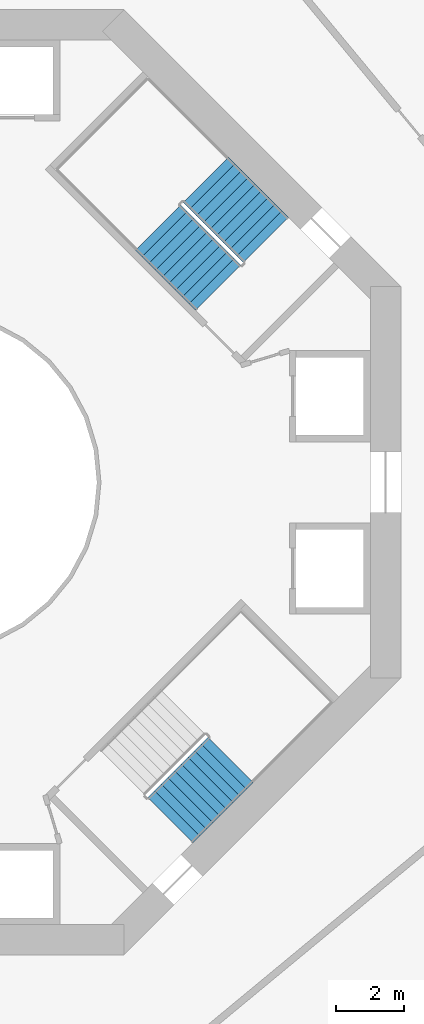
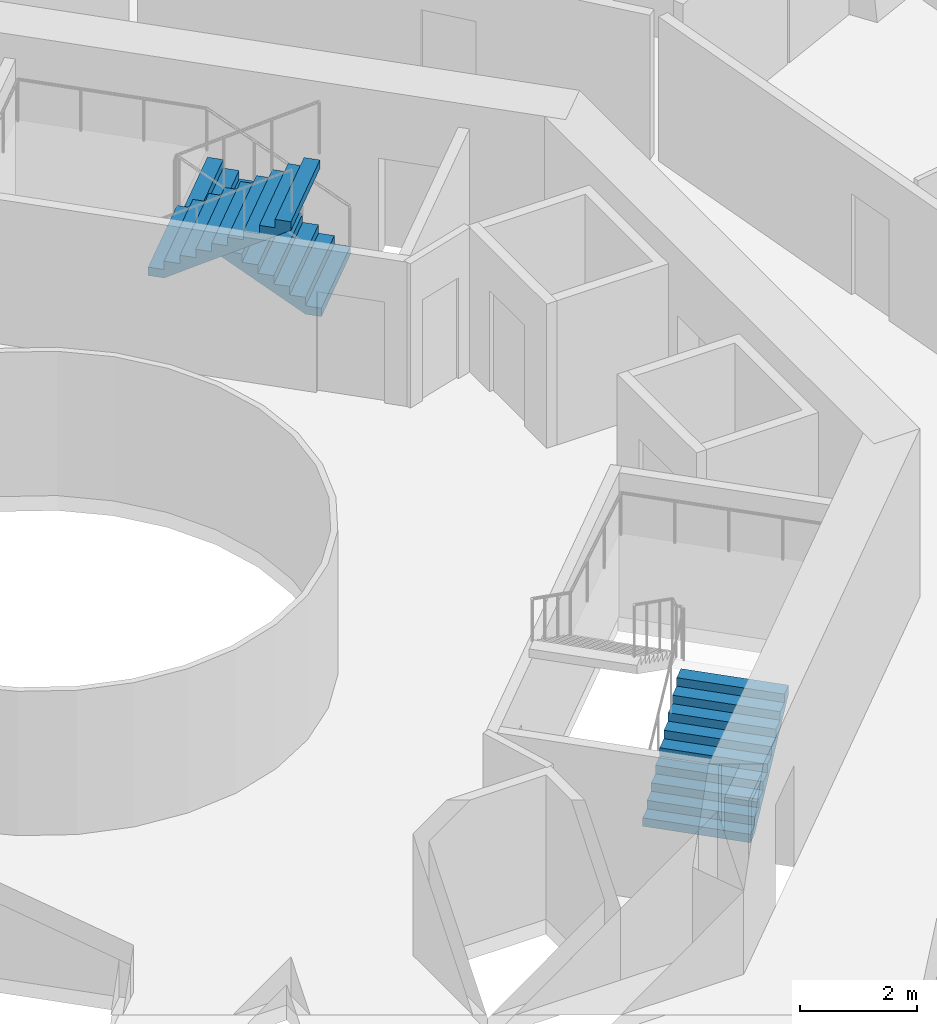
# One storey, part 26 of 27: 3 stair flights, 2 elements without a shape of their own.
"""IFC4 building model written with IfcOpenShell, lengths in metres."""

from ifc_helpers import new_model, si_unit, direction, frame, origin, place, context, subcontext, project, spatial, triangles, material, type_object, element, aggregate, save


model = new_model("IFC4")

# Units and contexts
model_context = context("Model", 3, precision=1e-05, world=origin(), true_north=direction((0.0, 1.0)))
body_context = subcontext(model_context, "Body", "Model", "MODEL_VIEW")
ifc_project = project(units=[si_unit("LENGTHUNIT", "METRE"), si_unit("AREAUNIT", "SQUARE_METRE"), si_unit("VOLUMEUNIT", "CUBIC_METRE"), si_unit("PLANEANGLEUNIT", "RADIAN"), si_unit("MASSUNIT", "GRAM", prefix="KILO")], contexts=[model_context])

# Site, building, storey
site_placement = place(None, origin())
site = spatial("IfcSite", under=ifc_project, at=site_placement, CompositionType="ELEMENT")
building_placement = place(site_placement, origin())
building = spatial("IfcBuilding", under=site, at=building_placement, Name="Verdalira Terraces Hotel", CompositionType="ELEMENT")
storey_placement = place(building_placement, frame((0.0, 0.0, 71.5)))
storey = spatial("IfcBuildingStorey", under=building, at=storey_placement, Name="L16", CompositionType="ELEMENT", Elevation=71.5)

# Stair, stair flights
ifc_material_1 = material(Name="Concrete C40", Category="concrete")
stair_type = type_object("IfcStairType", Name="Core stair 20 risers 1900 mm wide", PredefinedType="HALF_TURN_STAIR", material=ifc_material_1)
stair_1_placement = place(storey_placement, origin())
stair_1 = element("IfcStair", 1, at=stair_1_placement, inside=storey, type_object=stair_type, Name="L16 Exit stair ST1", PredefinedType="HALF_TURN_STAIR")
ifc_material_2 = material(Name="Concrete C40", Category="concrete")
stair_flight_type = type_object("IfcStairFlightType", Name="Core stair flight 20 risers 1900 mm wide", PredefinedType="STRAIGHT", material=ifc_material_2)
stair_flight_1_placement = place(storey_placement, frame((10.005615, 7.177246, 0.0), z_axis=(0.0, 0.0, 1.0), x_axis=(-0.707106781, 0.707106781, 0.0)))
stair_flight_1 = element("IfcStairFlight", 2, at=stair_flight_1_placement, type_object=stair_flight_type, Name="ST1 flight 1", NumberOfRisers=10, NumberOfTreads=9, PredefinedType="STRAIGHT", RiserHeight=0.175, TreadLength=0.28, context=body_context, shape_type="Tessellation", body=[
    triangles([(0.0, 0.949951, 0.0), (0.282715, 0.949951, 0.0), (2.52002, 0.949951, 1.398193), (0.0, -0.949951, 0.0), (0.282715, -0.949951, 0.0), (2.52002, -0.949951, 1.398193), (2.52002, 0.949951, 1.574951), (2.23999, 0.949951, 1.574951), (2.52002, -0.949951, 1.574951), (2.23999, -0.949951, 1.574951), (2.23999, 0.949951, 1.399902), (2.23999, -0.949951, 1.399902), (1.959961, 0.949951, 1.399902), (1.959961, -0.949951, 1.399902), (1.959961, 0.949951, 1.225098), (1.959961, -0.949951, 1.225098), (1.679932, 0.949951, 1.225098), (1.679932, 0.949951, 1.050049), (1.679932, -0.949951, 1.225098), (1.679932, -0.949951, 1.050049), (1.399902, 0.949951, 1.050049), (1.399902, 0.949951, 0.875), (1.399902, -0.949951, 1.050049), (1.399902, -0.949951, 0.875), (1.120117, 0.949951, 0.875), (1.120117, 0.949951, 0.699951), (1.120117, -0.949951, 0.875), (1.120117, -0.949951, 0.699951), (0.840088, 0.949951, 0.699951), (0.840088, 0.949951, 0.524902), (0.840088, -0.949951, 0.699951), (0.840088, -0.949951, 0.524902), (0.560059, 0.949951, 0.524902), (0.560059, 0.949951, 0.350098), (0.560059, -0.949951, 0.524902), (0.560059, -0.949951, 0.350098), (0.280029, 0.949951, 0.350098), (0.280029, 0.949951, 0.175049), (0.280029, -0.949951, 0.350098), (0.280029, -0.949951, 0.175049), (0.0, 0.949951, 0.175049), (0.0, -0.949951, 0.175049), (0.0, -0.890579, 0.0), (0.0, -0.890579, 0.175049), (0.0, -0.831207, 0.0), (0.0, -0.831207, 0.175049), (0.0, -0.771835, 0.0), (0.0, -0.771835, 0.175049), (0.0, -0.712463, 0.0), (0.0, -0.712463, 0.175049), (0.0, -0.653091, 0.0), (0.0, -0.653091, 0.175049), (0.0, -0.593719, 0.0), (0.0, -0.593719, 0.175049), (0.0, -0.534348, 0.0), (0.0, -0.534348, 0.175049), (0.0, -0.474976, 0.0), (0.0, -0.474976, 0.175049), (0.0, -0.415604, 0.0), (0.0, -0.415604, 0.175049), (0.0, -0.356232, 0.0), (0.0, -0.356232, 0.175049), (0.0, -0.29686, 0.0), (0.0, -0.29686, 0.175049), (0.0, -0.237488, 0.0), (0.0, -0.237488, 0.175049), (0.0, -0.178116, 0.0), (0.0, -0.178116, 0.175049), (0.0, -0.118744, 0.0), (0.0, -0.118744, 0.175049), (0.0, -0.059372, 0.0), (0.0, -0.059372, 0.175049), (0.0, 0.0, 0.0), (0.0, 0.0, 0.175049), (0.0, 0.059372, 0.0), (0.0, 0.059372, 0.175049), (0.0, 0.118744, 0.0), (0.0, 0.118744, 0.175049), (0.0, 0.178116, 0.0), (0.0, 0.178116, 0.175049), (0.0, 0.237488, 0.0), (0.0, 0.237488, 0.175049), (0.0, 0.29686, 0.0), (0.0, 0.29686, 0.175049), (0.0, 0.356232, 0.0), (0.0, 0.356232, 0.175049), (0.0, 0.415604, 0.0), (0.0, 0.415604, 0.175049), (0.0, 0.474976, 0.0), (0.0, 0.474976, 0.175049), (0.0, 0.534348, 0.0), (0.0, 0.534348, 0.175049), (0.0, 0.593719, 0.0), (0.0, 0.593719, 0.175049), (0.0, 0.653091, 0.0), (0.0, 0.653091, 0.175049), (0.0, 0.712463, 0.0), (0.0, 0.712463, 0.175049), (0.0, 0.771835, 0.0), (0.0, 0.771835, 0.175049), (0.0, 0.831207, 0.0), (0.0, 0.831207, 0.175049), (0.0, 0.890579, 0.0), (0.0, 0.890579, 0.175049), (2.52002, -0.890579, 1.574951), (2.52002, -0.831207, 1.574951), (2.52002, -0.771835, 1.574951), (2.52002, -0.712463, 1.574951), (2.52002, -0.653091, 1.574951), (2.52002, -0.593719, 1.574951), (2.52002, -0.534348, 1.574951), (2.52002, -0.474976, 1.574951), (2.52002, -0.415604, 1.574951), (2.52002, -0.356232, 1.574951), (2.52002, -0.29686, 1.574951), (2.52002, -0.237488, 1.574951), (2.52002, -0.178116, 1.574951), (2.52002, -0.118744, 1.574951), (2.52002, -0.059372, 1.574951), (2.52002, 0.0, 1.574951), (2.52002, 0.059372, 1.574951), (2.52002, 0.118744, 1.574951), (2.52002, 0.178116, 1.574951), (2.52002, 0.237488, 1.574951), (2.52002, 0.29686, 1.574951), (2.52002, 0.356232, 1.574951), (2.52002, 0.415604, 1.574951), (2.52002, 0.474976, 1.574951), (2.52002, 0.534348, 1.574951), (2.52002, 0.593719, 1.574951), (2.52002, 0.653091, 1.574951), (2.52002, 0.712463, 1.574951), (2.52002, 0.771835, 1.574951), (2.52002, 0.831207, 1.574951), (2.52002, 0.890579, 1.574951), (2.52002, -0.890579, 1.398193), (2.52002, -0.831207, 1.398193), (2.52002, -0.771835, 1.398193), (2.52002, -0.712463, 1.398193), (2.52002, -0.653091, 1.398193), (2.52002, -0.593719, 1.398193), (2.52002, -0.534348, 1.398193), (2.52002, -0.474976, 1.398193), (2.52002, -0.415604, 1.398193), (2.52002, -0.356232, 1.398193), (2.52002, -0.29686, 1.398193), (2.52002, -0.237488, 1.398193), (2.52002, -0.178116, 1.398193), (2.52002, -0.118744, 1.398193), (2.52002, -0.059372, 1.398193), (2.52002, 0.0, 1.398193), (2.52002, 0.059372, 1.398193), (2.52002, 0.118744, 1.398193), (2.52002, 0.178116, 1.398193), (2.52002, 0.237488, 1.398193), (2.52002, 0.29686, 1.398193), (2.52002, 0.356232, 1.398193), (2.52002, 0.415604, 1.398193), (2.52002, 0.474976, 1.398193), (2.52002, 0.534348, 1.398193), (2.52002, 0.593719, 1.398193), (2.52002, 0.653091, 1.398193), (2.52002, 0.712463, 1.398193), (2.52002, 0.771835, 1.398193), (2.52002, 0.831207, 1.398193), (2.52002, 0.890579, 1.398193)], [[1, 3, 2], [4, 5, 6], [3, 8, 7], [6, 9, 10], [3, 11, 8], [6, 10, 12], [3, 13, 11], [6, 12, 14], [3, 15, 13], [6, 14, 16], [15, 18, 17], [16, 19, 20], [3, 18, 15], [6, 16, 20], [18, 22, 21], [20, 23, 24], [3, 22, 18], [6, 20, 24], [22, 26, 25], [24, 27, 28], [3, 26, 22], [6, 24, 28], [26, 30, 29], [28, 31, 32], [3, 30, 26], [6, 28, 32], [1, 30, 3], [4, 6, 32], [30, 34, 33], [32, 35, 36], [34, 38, 37], [36, 39, 40], [30, 38, 34], [32, 36, 40], [1, 38, 30], [4, 32, 40], [38, 1, 41], [40, 42, 4], [4, 44, 43], [4, 42, 44], [43, 46, 45], [43, 44, 46], [45, 48, 47], [45, 46, 48], [47, 50, 49], [47, 48, 50], [49, 52, 51], [49, 50, 52], [51, 54, 53], [51, 52, 54], [53, 56, 55], [53, 54, 56], [55, 58, 57], [55, 56, 58], [57, 60, 59], [57, 58, 60], [59, 62, 61], [59, 60, 62], [61, 64, 63], [61, 62, 64], [63, 66, 65], [63, 64, 66], [65, 68, 67], [65, 66, 68], [67, 70, 69], [67, 68, 70], [69, 72, 71], [69, 70, 72], [71, 74, 73], [71, 72, 74], [73, 76, 75], [73, 74, 76], [75, 78, 77], [75, 76, 78], [77, 80, 79], [77, 78, 80], [79, 82, 81], [79, 80, 82], [81, 84, 83], [81, 82, 84], [83, 86, 85], [83, 84, 86], [85, 88, 87], [85, 86, 88], [87, 90, 89], [87, 88, 90], [89, 92, 91], [89, 90, 92], [91, 94, 93], [91, 92, 94], [93, 96, 95], [93, 94, 96], [95, 98, 97], [95, 96, 98], [97, 100, 99], [97, 98, 100], [99, 102, 101], [99, 100, 102], [101, 104, 103], [101, 102, 104], [103, 41, 1], [103, 104, 41], [42, 40, 44], [44, 40, 46], [46, 40, 48], [48, 40, 50], [50, 40, 52], [52, 40, 54], [54, 40, 56], [56, 40, 58], [58, 40, 60], [60, 40, 62], [62, 40, 64], [64, 40, 66], [66, 40, 68], [68, 40, 70], [70, 40, 72], [72, 40, 74], [74, 40, 76], [76, 40, 78], [78, 40, 80], [80, 40, 82], [82, 40, 84], [84, 40, 86], [86, 40, 88], [88, 40, 90], [90, 40, 92], [92, 40, 94], [94, 40, 96], [96, 40, 98], [98, 40, 100], [100, 40, 102], [102, 40, 104], [104, 40, 41], [41, 40, 38], [40, 37, 38], [40, 39, 37], [39, 34, 37], [39, 36, 34], [36, 33, 34], [36, 35, 33], [35, 30, 33], [35, 32, 30], [32, 29, 30], [32, 31, 29], [31, 26, 29], [31, 28, 26], [28, 25, 26], [28, 27, 25], [27, 22, 25], [27, 24, 22], [24, 21, 22], [24, 23, 21], [23, 18, 21], [23, 20, 18], [20, 17, 18], [20, 19, 17], [19, 15, 17], [19, 16, 15], [16, 13, 15], [16, 14, 13], [14, 11, 13], [14, 12, 11], [12, 8, 11], [12, 10, 8], [9, 105, 10], [105, 106, 10], [106, 107, 10], [107, 108, 10], [108, 109, 10], [109, 110, 10], [110, 111, 10], [111, 112, 10], [112, 113, 10], [113, 114, 10], [114, 115, 10], [115, 116, 10], [116, 117, 10], [117, 118, 10], [118, 119, 10], [119, 120, 10], [120, 121, 10], [121, 122, 10], [122, 123, 10], [123, 124, 10], [124, 125, 10], [125, 126, 10], [126, 127, 10], [127, 128, 10], [128, 129, 10], [129, 130, 10], [130, 131, 10], [131, 132, 10], [132, 133, 10], [133, 134, 10], [134, 135, 10], [135, 7, 10], [7, 8, 10], [9, 136, 105], [9, 6, 136], [105, 137, 106], [105, 136, 137], [106, 138, 107], [106, 137, 138], [107, 139, 108], [107, 138, 139], [108, 140, 109], [108, 139, 140], [109, 141, 110], [109, 140, 141], [110, 142, 111], [110, 141, 142], [111, 143, 112], [111, 142, 143], [112, 144, 113], [112, 143, 144], [113, 145, 114], [113, 144, 145], [114, 146, 115], [114, 145, 146], [115, 147, 116], [115, 146, 147], [116, 148, 117], [116, 147, 148], [117, 149, 118], [117, 148, 149], [118, 150, 119], [118, 149, 150], [119, 151, 120], [119, 150, 151], [120, 152, 121], [120, 151, 152], [121, 153, 122], [121, 152, 153], [122, 154, 123], [122, 153, 154], [123, 155, 124], [123, 154, 155], [124, 156, 125], [124, 155, 156], [125, 157, 126], [125, 156, 157], [126, 158, 127], [126, 157, 158], [127, 159, 128], [127, 158, 159], [128, 160, 129], [128, 159, 160], [129, 161, 130], [129, 160, 161], [130, 162, 131], [130, 161, 162], [131, 163, 132], [131, 162, 163], [132, 164, 133], [132, 163, 164], [133, 165, 134], [133, 164, 165], [134, 166, 135], [134, 165, 166], [135, 3, 7], [135, 166, 3], [6, 5, 136], [136, 5, 137], [137, 5, 138], [138, 5, 139], [139, 5, 140], [140, 5, 141], [141, 5, 142], [142, 5, 143], [143, 5, 144], [144, 5, 145], [145, 5, 146], [146, 5, 147], [147, 5, 148], [148, 5, 149], [149, 5, 150], [150, 5, 151], [151, 5, 152], [152, 5, 153], [153, 5, 154], [154, 5, 155], [155, 5, 156], [156, 5, 157], [157, 5, 158], [158, 5, 159], [159, 5, 160], [160, 5, 161], [161, 5, 162], [162, 5, 163], [163, 5, 164], [164, 5, 165], [165, 5, 166], [166, 5, 3], [3, 5, 2], [4, 43, 5], [43, 45, 5], [45, 47, 5], [47, 49, 5], [49, 51, 5], [51, 53, 5], [53, 55, 5], [55, 57, 5], [57, 59, 5], [59, 61, 5], [61, 63, 5], [63, 65, 5], [65, 67, 5], [67, 69, 5], [69, 71, 5], [71, 73, 5], [73, 75, 5], [75, 77, 5], [77, 79, 5], [79, 81, 5], [81, 83, 5], [83, 85, 5], [85, 87, 5], [87, 89, 5], [89, 91, 5], [91, 93, 5], [93, 95, 5], [95, 97, 5], [97, 99, 5], [99, 101, 5], [101, 103, 5], [103, 1, 5], [1, 2, 5]], closed=True),
])
stair_flight_2_placement = place(storey_placement, frame((6.809326, 7.544922, 1.75), z_axis=(0.0, 0.0, 1.0), x_axis=(0.707106781, -0.707106781, 0.0)))
stair_flight_2 = element("IfcStairFlight", 3, at=stair_flight_2_placement, type_object=stair_flight_type, Name="ST1 flight 2", NumberOfRisers=10, NumberOfTreads=9, PredefinedType="STRAIGHT", RiserHeight=0.175, TreadLength=0.28, context=body_context, shape_type="Tessellation", body=[
    triangles([(0.0, 0.949951, 0.0), (0.282715, 0.949951, 0.0), (2.52002, 0.949951, 1.398193), (0.0, -0.949951, 0.0), (0.282715, -0.949951, 0.0), (2.52002, -0.949951, 1.398193), (2.52002, 0.949951, 1.574951), (2.23999, 0.949951, 1.574951), (2.52002, -0.949951, 1.574951), (2.23999, -0.949951, 1.574951), (2.23999, 0.949951, 1.399902), (2.23999, -0.949951, 1.399902), (1.959961, 0.949951, 1.399902), (1.959961, -0.949951, 1.399902), (1.959961, 0.949951, 1.225098), (1.959961, -0.949951, 1.225098), (1.679932, 0.949951, 1.225098), (1.679932, 0.949951, 1.050049), (1.679932, -0.949951, 1.225098), (1.679932, -0.949951, 1.050049), (1.399902, 0.949951, 1.050049), (1.399902, 0.949951, 0.875), (1.399902, -0.949951, 1.050049), (1.399902, -0.949951, 0.875), (1.120117, 0.949951, 0.875), (1.120117, 0.949951, 0.699951), (1.120117, -0.949951, 0.875), (1.120117, -0.949951, 0.699951), (0.840088, 0.949951, 0.699951), (0.840088, 0.949951, 0.524902), (0.840088, -0.949951, 0.699951), (0.840088, -0.949951, 0.524902), (0.560059, 0.949951, 0.524902), (0.560059, 0.949951, 0.350098), (0.560059, -0.949951, 0.524902), (0.560059, -0.949951, 0.350098), (0.280029, 0.949951, 0.350098), (0.280029, 0.949951, 0.175049), (0.280029, -0.949951, 0.350098), (0.280029, -0.949951, 0.175049), (0.0, 0.949951, 0.175049), (0.0, -0.949951, 0.175049), (0.0, -0.890579, 0.0), (0.0, -0.890579, 0.175049), (0.0, -0.831207, 0.0), (0.0, -0.831207, 0.175049), (0.0, -0.771835, 0.0), (0.0, -0.771835, 0.175049), (0.0, -0.712463, 0.0), (0.0, -0.712463, 0.175049), (0.0, -0.653091, 0.0), (0.0, -0.653091, 0.175049), (0.0, -0.593719, 0.0), (0.0, -0.593719, 0.175049), (0.0, -0.534348, 0.0), (0.0, -0.534348, 0.175049), (0.0, -0.474976, 0.0), (0.0, -0.474976, 0.175049), (0.0, -0.415604, 0.0), (0.0, -0.415604, 0.175049), (0.0, -0.356232, 0.0), (0.0, -0.356232, 0.175049), (0.0, -0.29686, 0.0), (0.0, -0.29686, 0.175049), (0.0, -0.237488, 0.0), (0.0, -0.237488, 0.175049), (0.0, -0.178116, 0.0), (0.0, -0.178116, 0.175049), (0.0, -0.118744, 0.0), (0.0, -0.118744, 0.175049), (0.0, -0.059372, 0.0), (0.0, -0.059372, 0.175049), (0.0, 0.0, 0.0), (0.0, 0.0, 0.175049), (0.0, 0.059372, 0.0), (0.0, 0.059372, 0.175049), (0.0, 0.118744, 0.0), (0.0, 0.118744, 0.175049), (0.0, 0.178116, 0.0), (0.0, 0.178116, 0.175049), (0.0, 0.237488, 0.0), (0.0, 0.237488, 0.175049), (0.0, 0.29686, 0.0), (0.0, 0.29686, 0.175049), (0.0, 0.356232, 0.0), (0.0, 0.356232, 0.175049), (0.0, 0.415604, 0.0), (0.0, 0.415604, 0.175049), (0.0, 0.474976, 0.0), (0.0, 0.474976, 0.175049), (0.0, 0.534348, 0.0), (0.0, 0.534348, 0.175049), (0.0, 0.593719, 0.0), (0.0, 0.593719, 0.175049), (0.0, 0.653091, 0.0), (0.0, 0.653091, 0.175049), (0.0, 0.712463, 0.0), (0.0, 0.712463, 0.175049), (0.0, 0.771835, 0.0), (0.0, 0.771835, 0.175049), (0.0, 0.831207, 0.0), (0.0, 0.831207, 0.175049), (0.0, 0.890579, 0.0), (0.0, 0.890579, 0.175049), (2.52002, -0.890579, 1.574951), (2.52002, -0.831207, 1.574951), (2.52002, -0.771835, 1.574951), (2.52002, -0.712463, 1.574951), (2.52002, -0.653091, 1.574951), (2.52002, -0.593719, 1.574951), (2.52002, -0.534348, 1.574951), (2.52002, -0.474976, 1.574951), (2.52002, -0.415604, 1.574951), (2.52002, -0.356232, 1.574951), (2.52002, -0.29686, 1.574951), (2.52002, -0.237488, 1.574951), (2.52002, -0.178116, 1.574951), (2.52002, -0.118744, 1.574951), (2.52002, -0.059372, 1.574951), (2.52002, 0.0, 1.574951), (2.52002, 0.059372, 1.574951), (2.52002, 0.118744, 1.574951), (2.52002, 0.178116, 1.574951), (2.52002, 0.237488, 1.574951), (2.52002, 0.29686, 1.574951), (2.52002, 0.356232, 1.574951), (2.52002, 0.415604, 1.574951), (2.52002, 0.474976, 1.574951), (2.52002, 0.534348, 1.574951), (2.52002, 0.593719, 1.574951), (2.52002, 0.653091, 1.574951), (2.52002, 0.712463, 1.574951), (2.52002, 0.771835, 1.574951), (2.52002, 0.831207, 1.574951), (2.52002, 0.890579, 1.574951), (2.52002, -0.890579, 1.398193), (2.52002, -0.831207, 1.398193), (2.52002, -0.771835, 1.398193), (2.52002, -0.712463, 1.398193), (2.52002, -0.653091, 1.398193), (2.52002, -0.593719, 1.398193), (2.52002, -0.534348, 1.398193), (2.52002, -0.474976, 1.398193), (2.52002, -0.415604, 1.398193), (2.52002, -0.356232, 1.398193), (2.52002, -0.29686, 1.398193), (2.52002, -0.237488, 1.398193), (2.52002, -0.178116, 1.398193), (2.52002, -0.118744, 1.398193), (2.52002, -0.059372, 1.398193), (2.52002, 0.0, 1.398193), (2.52002, 0.059372, 1.398193), (2.52002, 0.118744, 1.398193), (2.52002, 0.178116, 1.398193), (2.52002, 0.237488, 1.398193), (2.52002, 0.29686, 1.398193), (2.52002, 0.356232, 1.398193), (2.52002, 0.415604, 1.398193), (2.52002, 0.474976, 1.398193), (2.52002, 0.534348, 1.398193), (2.52002, 0.593719, 1.398193), (2.52002, 0.653091, 1.398193), (2.52002, 0.712463, 1.398193), (2.52002, 0.771835, 1.398193), (2.52002, 0.831207, 1.398193), (2.52002, 0.890579, 1.398193)], [[1, 3, 2], [4, 5, 6], [3, 8, 7], [6, 9, 10], [3, 11, 8], [6, 10, 12], [3, 13, 11], [6, 12, 14], [3, 15, 13], [6, 14, 16], [15, 18, 17], [16, 19, 20], [3, 18, 15], [6, 16, 20], [18, 22, 21], [20, 23, 24], [3, 22, 18], [6, 20, 24], [22, 26, 25], [24, 27, 28], [3, 26, 22], [6, 24, 28], [26, 30, 29], [28, 31, 32], [3, 30, 26], [6, 28, 32], [1, 30, 3], [4, 6, 32], [30, 34, 33], [32, 35, 36], [34, 38, 37], [36, 39, 40], [30, 38, 34], [32, 36, 40], [1, 38, 30], [4, 32, 40], [38, 1, 41], [40, 42, 4], [4, 44, 43], [4, 42, 44], [43, 46, 45], [43, 44, 46], [45, 48, 47], [45, 46, 48], [47, 50, 49], [47, 48, 50], [49, 52, 51], [49, 50, 52], [51, 54, 53], [51, 52, 54], [53, 56, 55], [53, 54, 56], [55, 58, 57], [55, 56, 58], [57, 60, 59], [57, 58, 60], [59, 62, 61], [59, 60, 62], [61, 64, 63], [61, 62, 64], [63, 66, 65], [63, 64, 66], [65, 68, 67], [65, 66, 68], [67, 70, 69], [67, 68, 70], [69, 72, 71], [69, 70, 72], [71, 74, 73], [71, 72, 74], [73, 76, 75], [73, 74, 76], [75, 78, 77], [75, 76, 78], [77, 80, 79], [77, 78, 80], [79, 82, 81], [79, 80, 82], [81, 84, 83], [81, 82, 84], [83, 86, 85], [83, 84, 86], [85, 88, 87], [85, 86, 88], [87, 90, 89], [87, 88, 90], [89, 92, 91], [89, 90, 92], [91, 94, 93], [91, 92, 94], [93, 96, 95], [93, 94, 96], [95, 98, 97], [95, 96, 98], [97, 100, 99], [97, 98, 100], [99, 102, 101], [99, 100, 102], [101, 104, 103], [101, 102, 104], [103, 41, 1], [103, 104, 41], [42, 40, 44], [44, 40, 46], [46, 40, 48], [48, 40, 50], [50, 40, 52], [52, 40, 54], [54, 40, 56], [56, 40, 58], [58, 40, 60], [60, 40, 62], [62, 40, 64], [64, 40, 66], [66, 40, 68], [68, 40, 70], [70, 40, 72], [72, 40, 74], [74, 40, 76], [76, 40, 78], [78, 40, 80], [80, 40, 82], [82, 40, 84], [84, 40, 86], [86, 40, 88], [88, 40, 90], [90, 40, 92], [92, 40, 94], [94, 40, 96], [96, 40, 98], [98, 40, 100], [100, 40, 102], [102, 40, 104], [104, 40, 41], [41, 40, 38], [40, 37, 38], [40, 39, 37], [39, 34, 37], [39, 36, 34], [36, 33, 34], [36, 35, 33], [35, 30, 33], [35, 32, 30], [32, 29, 30], [32, 31, 29], [31, 26, 29], [31, 28, 26], [28, 25, 26], [28, 27, 25], [27, 22, 25], [27, 24, 22], [24, 21, 22], [24, 23, 21], [23, 18, 21], [23, 20, 18], [20, 17, 18], [20, 19, 17], [19, 15, 17], [19, 16, 15], [16, 13, 15], [16, 14, 13], [14, 11, 13], [14, 12, 11], [12, 8, 11], [12, 10, 8], [9, 105, 10], [105, 106, 10], [106, 107, 10], [107, 108, 10], [108, 109, 10], [109, 110, 10], [110, 111, 10], [111, 112, 10], [112, 113, 10], [113, 114, 10], [114, 115, 10], [115, 116, 10], [116, 117, 10], [117, 118, 10], [118, 119, 10], [119, 120, 10], [120, 121, 10], [121, 122, 10], [122, 123, 10], [123, 124, 10], [124, 125, 10], [125, 126, 10], [126, 127, 10], [127, 128, 10], [128, 129, 10], [129, 130, 10], [130, 131, 10], [131, 132, 10], [132, 133, 10], [133, 134, 10], [134, 135, 10], [135, 7, 10], [7, 8, 10], [9, 136, 105], [9, 6, 136], [105, 137, 106], [105, 136, 137], [106, 138, 107], [106, 137, 138], [107, 139, 108], [107, 138, 139], [108, 140, 109], [108, 139, 140], [109, 141, 110], [109, 140, 141], [110, 142, 111], [110, 141, 142], [111, 143, 112], [111, 142, 143], [112, 144, 113], [112, 143, 144], [113, 145, 114], [113, 144, 145], [114, 146, 115], [114, 145, 146], [115, 147, 116], [115, 146, 147], [116, 148, 117], [116, 147, 148], [117, 149, 118], [117, 148, 149], [118, 150, 119], [118, 149, 150], [119, 151, 120], [119, 150, 151], [120, 152, 121], [120, 151, 152], [121, 153, 122], [121, 152, 153], [122, 154, 123], [122, 153, 154], [123, 155, 124], [123, 154, 155], [124, 156, 125], [124, 155, 156], [125, 157, 126], [125, 156, 157], [126, 158, 127], [126, 157, 158], [127, 159, 128], [127, 158, 159], [128, 160, 129], [128, 159, 160], [129, 161, 130], [129, 160, 161], [130, 162, 131], [130, 161, 162], [131, 163, 132], [131, 162, 163], [132, 164, 133], [132, 163, 164], [133, 165, 134], [133, 164, 165], [134, 166, 135], [134, 165, 166], [135, 3, 7], [135, 166, 3], [6, 5, 136], [136, 5, 137], [137, 5, 138], [138, 5, 139], [139, 5, 140], [140, 5, 141], [141, 5, 142], [142, 5, 143], [143, 5, 144], [144, 5, 145], [145, 5, 146], [146, 5, 147], [147, 5, 148], [148, 5, 149], [149, 5, 150], [150, 5, 151], [151, 5, 152], [152, 5, 153], [153, 5, 154], [154, 5, 155], [155, 5, 156], [156, 5, 157], [157, 5, 158], [158, 5, 159], [159, 5, 160], [160, 5, 161], [161, 5, 162], [162, 5, 163], [163, 5, 164], [164, 5, 165], [165, 5, 166], [166, 5, 3], [3, 5, 2], [4, 43, 5], [43, 45, 5], [45, 47, 5], [47, 49, 5], [49, 51, 5], [51, 53, 5], [53, 55, 5], [55, 57, 5], [57, 59, 5], [59, 61, 5], [61, 63, 5], [63, 65, 5], [65, 67, 5], [67, 69, 5], [69, 71, 5], [71, 73, 5], [73, 75, 5], [75, 77, 5], [77, 79, 5], [79, 81, 5], [81, 83, 5], [83, 85, 5], [85, 87, 5], [87, 89, 5], [89, 91, 5], [91, 93, 5], [93, 95, 5], [95, 97, 5], [97, 99, 5], [99, 101, 5], [101, 103, 5], [103, 1, 5], [1, 2, 5]], closed=True),
])
aggregate(stair_1, [stair_flight_1, stair_flight_2])

# Stair, stair flight
stair_2_placement = place(storey_placement, origin())
stair_2 = element("IfcStair", 4, at=stair_2_placement, inside=storey, type_object=stair_type, Name="L16 Exit stair ST3", PredefinedType="HALF_TURN_STAIR")
stair_flight_3_placement = place(storey_placement, frame((7.177246, -10.005615, 0.0), z_axis=(0.0, 0.0, 1.0), x_axis=(0.707106781, 0.707106781, 0.0)))
stair_flight_3 = element("IfcStairFlight", 5, at=stair_flight_3_placement, type_object=stair_flight_type, Name="ST3 flight 1", NumberOfRisers=10, NumberOfTreads=9, PredefinedType="STRAIGHT", RiserHeight=0.175, TreadLength=0.28, context=body_context, shape_type="Tessellation", body=[
    triangles([(0.0, 0.949951, 0.0), (0.282715, 0.949951, 0.0), (2.52002, 0.949951, 1.398193), (0.0, -0.949951, 0.0), (0.282715, -0.949951, 0.0), (2.52002, -0.949951, 1.398193), (2.52002, 0.949951, 1.574951), (2.23999, 0.949951, 1.574951), (2.52002, -0.949951, 1.574951), (2.23999, -0.949951, 1.574951), (2.23999, 0.949951, 1.399902), (2.23999, -0.949951, 1.399902), (1.959961, 0.949951, 1.399902), (1.959961, -0.949951, 1.399902), (1.959961, 0.949951, 1.225098), (1.959961, -0.949951, 1.225098), (1.679932, 0.949951, 1.225098), (1.679932, 0.949951, 1.050049), (1.679932, -0.949951, 1.225098), (1.679932, -0.949951, 1.050049), (1.399902, 0.949951, 1.050049), (1.399902, 0.949951, 0.875), (1.399902, -0.949951, 1.050049), (1.399902, -0.949951, 0.875), (1.120117, 0.949951, 0.875), (1.120117, 0.949951, 0.699951), (1.120117, -0.949951, 0.875), (1.120117, -0.949951, 0.699951), (0.840088, 0.949951, 0.699951), (0.840088, 0.949951, 0.524902), (0.840088, -0.949951, 0.699951), (0.840088, -0.949951, 0.524902), (0.560059, 0.949951, 0.524902), (0.560059, 0.949951, 0.350098), (0.560059, -0.949951, 0.524902), (0.560059, -0.949951, 0.350098), (0.280029, 0.949951, 0.350098), (0.280029, 0.949951, 0.175049), (0.280029, -0.949951, 0.350098), (0.280029, -0.949951, 0.175049), (0.0, 0.949951, 0.175049), (0.0, -0.949951, 0.175049), (0.0, -0.890579, 0.0), (0.0, -0.890579, 0.175049), (0.0, -0.831207, 0.0), (0.0, -0.831207, 0.175049), (0.0, -0.771835, 0.0), (0.0, -0.771835, 0.175049), (0.0, -0.712463, 0.0), (0.0, -0.712463, 0.175049), (0.0, -0.653091, 0.0), (0.0, -0.653091, 0.175049), (0.0, -0.593719, 0.0), (0.0, -0.593719, 0.175049), (0.0, -0.534348, 0.0), (0.0, -0.534348, 0.175049), (0.0, -0.474976, 0.0), (0.0, -0.474976, 0.175049), (0.0, -0.415604, 0.0), (0.0, -0.415604, 0.175049), (0.0, -0.356232, 0.0), (0.0, -0.356232, 0.175049), (0.0, -0.29686, 0.0), (0.0, -0.29686, 0.175049), (0.0, -0.237488, 0.0), (0.0, -0.237488, 0.175049), (0.0, -0.178116, 0.0), (0.0, -0.178116, 0.175049), (0.0, -0.118744, 0.0), (0.0, -0.118744, 0.175049), (0.0, -0.059372, 0.0), (0.0, -0.059372, 0.175049), (0.0, 0.0, 0.0), (0.0, 0.0, 0.175049), (0.0, 0.059372, 0.0), (0.0, 0.059372, 0.175049), (0.0, 0.118744, 0.0), (0.0, 0.118744, 0.175049), (0.0, 0.178116, 0.0), (0.0, 0.178116, 0.175049), (0.0, 0.237488, 0.0), (0.0, 0.237488, 0.175049), (0.0, 0.29686, 0.0), (0.0, 0.29686, 0.175049), (0.0, 0.356232, 0.0), (0.0, 0.356232, 0.175049), (0.0, 0.415604, 0.0), (0.0, 0.415604, 0.175049), (0.0, 0.474976, 0.0), (0.0, 0.474976, 0.175049), (0.0, 0.534348, 0.0), (0.0, 0.534348, 0.175049), (0.0, 0.593719, 0.0), (0.0, 0.593719, 0.175049), (0.0, 0.653091, 0.0), (0.0, 0.653091, 0.175049), (0.0, 0.712463, 0.0), (0.0, 0.712463, 0.175049), (0.0, 0.771835, 0.0), (0.0, 0.771835, 0.175049), (0.0, 0.831207, 0.0), (0.0, 0.831207, 0.175049), (0.0, 0.890579, 0.0), (0.0, 0.890579, 0.175049), (2.52002, -0.890579, 1.574951), (2.52002, -0.831207, 1.574951), (2.52002, -0.771835, 1.574951), (2.52002, -0.712463, 1.574951), (2.52002, -0.653091, 1.574951), (2.52002, -0.593719, 1.574951), (2.52002, -0.534348, 1.574951), (2.52002, -0.474976, 1.574951), (2.52002, -0.415604, 1.574951), (2.52002, -0.356232, 1.574951), (2.52002, -0.29686, 1.574951), (2.52002, -0.237488, 1.574951), (2.52002, -0.178116, 1.574951), (2.52002, -0.118744, 1.574951), (2.52002, -0.059372, 1.574951), (2.52002, 0.0, 1.574951), (2.52002, 0.059372, 1.574951), (2.52002, 0.118744, 1.574951), (2.52002, 0.178116, 1.574951), (2.52002, 0.237488, 1.574951), (2.52002, 0.29686, 1.574951), (2.52002, 0.356232, 1.574951), (2.52002, 0.415604, 1.574951), (2.52002, 0.474976, 1.574951), (2.52002, 0.534348, 1.574951), (2.52002, 0.593719, 1.574951), (2.52002, 0.653091, 1.574951), (2.52002, 0.712463, 1.574951), (2.52002, 0.771835, 1.574951), (2.52002, 0.831207, 1.574951), (2.52002, 0.890579, 1.574951), (2.52002, -0.890579, 1.398193), (2.52002, -0.831207, 1.398193), (2.52002, -0.771835, 1.398193), (2.52002, -0.712463, 1.398193), (2.52002, -0.653091, 1.398193), (2.52002, -0.593719, 1.398193), (2.52002, -0.534348, 1.398193), (2.52002, -0.474976, 1.398193), (2.52002, -0.415604, 1.398193), (2.52002, -0.356232, 1.398193), (2.52002, -0.29686, 1.398193), (2.52002, -0.237488, 1.398193), (2.52002, -0.178116, 1.398193), (2.52002, -0.118744, 1.398193), (2.52002, -0.059372, 1.398193), (2.52002, 0.0, 1.398193), (2.52002, 0.059372, 1.398193), (2.52002, 0.118744, 1.398193), (2.52002, 0.178116, 1.398193), (2.52002, 0.237488, 1.398193), (2.52002, 0.29686, 1.398193), (2.52002, 0.356232, 1.398193), (2.52002, 0.415604, 1.398193), (2.52002, 0.474976, 1.398193), (2.52002, 0.534348, 1.398193), (2.52002, 0.593719, 1.398193), (2.52002, 0.653091, 1.398193), (2.52002, 0.712463, 1.398193), (2.52002, 0.771835, 1.398193), (2.52002, 0.831207, 1.398193), (2.52002, 0.890579, 1.398193)], [[1, 3, 2], [4, 5, 6], [3, 8, 7], [6, 9, 10], [3, 11, 8], [6, 10, 12], [3, 13, 11], [6, 12, 14], [3, 15, 13], [6, 14, 16], [15, 18, 17], [16, 19, 20], [3, 18, 15], [6, 16, 20], [18, 22, 21], [20, 23, 24], [3, 22, 18], [6, 20, 24], [22, 26, 25], [24, 27, 28], [3, 26, 22], [6, 24, 28], [26, 30, 29], [28, 31, 32], [3, 30, 26], [6, 28, 32], [1, 30, 3], [4, 6, 32], [30, 34, 33], [32, 35, 36], [34, 38, 37], [36, 39, 40], [30, 38, 34], [32, 36, 40], [1, 38, 30], [4, 32, 40], [38, 1, 41], [40, 42, 4], [4, 44, 43], [4, 42, 44], [43, 46, 45], [43, 44, 46], [45, 48, 47], [45, 46, 48], [47, 50, 49], [47, 48, 50], [49, 52, 51], [49, 50, 52], [51, 54, 53], [51, 52, 54], [53, 56, 55], [53, 54, 56], [55, 58, 57], [55, 56, 58], [57, 60, 59], [57, 58, 60], [59, 62, 61], [59, 60, 62], [61, 64, 63], [61, 62, 64], [63, 66, 65], [63, 64, 66], [65, 68, 67], [65, 66, 68], [67, 70, 69], [67, 68, 70], [69, 72, 71], [69, 70, 72], [71, 74, 73], [71, 72, 74], [73, 76, 75], [73, 74, 76], [75, 78, 77], [75, 76, 78], [77, 80, 79], [77, 78, 80], [79, 82, 81], [79, 80, 82], [81, 84, 83], [81, 82, 84], [83, 86, 85], [83, 84, 86], [85, 88, 87], [85, 86, 88], [87, 90, 89], [87, 88, 90], [89, 92, 91], [89, 90, 92], [91, 94, 93], [91, 92, 94], [93, 96, 95], [93, 94, 96], [95, 98, 97], [95, 96, 98], [97, 100, 99], [97, 98, 100], [99, 102, 101], [99, 100, 102], [101, 104, 103], [101, 102, 104], [103, 41, 1], [103, 104, 41], [42, 40, 44], [44, 40, 46], [46, 40, 48], [48, 40, 50], [50, 40, 52], [52, 40, 54], [54, 40, 56], [56, 40, 58], [58, 40, 60], [60, 40, 62], [62, 40, 64], [64, 40, 66], [66, 40, 68], [68, 40, 70], [70, 40, 72], [72, 40, 74], [74, 40, 76], [76, 40, 78], [78, 40, 80], [80, 40, 82], [82, 40, 84], [84, 40, 86], [86, 40, 88], [88, 40, 90], [90, 40, 92], [92, 40, 94], [94, 40, 96], [96, 40, 98], [98, 40, 100], [100, 40, 102], [102, 40, 104], [104, 40, 41], [41, 40, 38], [40, 37, 38], [40, 39, 37], [39, 34, 37], [39, 36, 34], [36, 33, 34], [36, 35, 33], [35, 30, 33], [35, 32, 30], [32, 29, 30], [32, 31, 29], [31, 26, 29], [31, 28, 26], [28, 25, 26], [28, 27, 25], [27, 22, 25], [27, 24, 22], [24, 21, 22], [24, 23, 21], [23, 18, 21], [23, 20, 18], [20, 17, 18], [20, 19, 17], [19, 15, 17], [19, 16, 15], [16, 13, 15], [16, 14, 13], [14, 11, 13], [14, 12, 11], [12, 8, 11], [12, 10, 8], [9, 105, 10], [105, 106, 10], [106, 107, 10], [107, 108, 10], [108, 109, 10], [109, 110, 10], [110, 111, 10], [111, 112, 10], [112, 113, 10], [113, 114, 10], [114, 115, 10], [115, 116, 10], [116, 117, 10], [117, 118, 10], [118, 119, 10], [119, 120, 10], [120, 121, 10], [121, 122, 10], [122, 123, 10], [123, 124, 10], [124, 125, 10], [125, 126, 10], [126, 127, 10], [127, 128, 10], [128, 129, 10], [129, 130, 10], [130, 131, 10], [131, 132, 10], [132, 133, 10], [133, 134, 10], [134, 135, 10], [135, 7, 10], [7, 8, 10], [9, 136, 105], [9, 6, 136], [105, 137, 106], [105, 136, 137], [106, 138, 107], [106, 137, 138], [107, 139, 108], [107, 138, 139], [108, 140, 109], [108, 139, 140], [109, 141, 110], [109, 140, 141], [110, 142, 111], [110, 141, 142], [111, 143, 112], [111, 142, 143], [112, 144, 113], [112, 143, 144], [113, 145, 114], [113, 144, 145], [114, 146, 115], [114, 145, 146], [115, 147, 116], [115, 146, 147], [116, 148, 117], [116, 147, 148], [117, 149, 118], [117, 148, 149], [118, 150, 119], [118, 149, 150], [119, 151, 120], [119, 150, 151], [120, 152, 121], [120, 151, 152], [121, 153, 122], [121, 152, 153], [122, 154, 123], [122, 153, 154], [123, 155, 124], [123, 154, 155], [124, 156, 125], [124, 155, 156], [125, 157, 126], [125, 156, 157], [126, 158, 127], [126, 157, 158], [127, 159, 128], [127, 158, 159], [128, 160, 129], [128, 159, 160], [129, 161, 130], [129, 160, 161], [130, 162, 131], [130, 161, 162], [131, 163, 132], [131, 162, 163], [132, 164, 133], [132, 163, 164], [133, 165, 134], [133, 164, 165], [134, 166, 135], [134, 165, 166], [135, 3, 7], [135, 166, 3], [6, 5, 136], [136, 5, 137], [137, 5, 138], [138, 5, 139], [139, 5, 140], [140, 5, 141], [141, 5, 142], [142, 5, 143], [143, 5, 144], [144, 5, 145], [145, 5, 146], [146, 5, 147], [147, 5, 148], [148, 5, 149], [149, 5, 150], [150, 5, 151], [151, 5, 152], [152, 5, 153], [153, 5, 154], [154, 5, 155], [155, 5, 156], [156, 5, 157], [157, 5, 158], [158, 5, 159], [159, 5, 160], [160, 5, 161], [161, 5, 162], [162, 5, 163], [163, 5, 164], [164, 5, 165], [165, 5, 166], [166, 5, 3], [3, 5, 2], [4, 43, 5], [43, 45, 5], [45, 47, 5], [47, 49, 5], [49, 51, 5], [51, 53, 5], [53, 55, 5], [55, 57, 5], [57, 59, 5], [59, 61, 5], [61, 63, 5], [63, 65, 5], [65, 67, 5], [67, 69, 5], [69, 71, 5], [71, 73, 5], [73, 75, 5], [75, 77, 5], [77, 79, 5], [79, 81, 5], [81, 83, 5], [83, 85, 5], [85, 87, 5], [87, 89, 5], [89, 91, 5], [91, 93, 5], [93, 95, 5], [95, 97, 5], [97, 99, 5], [99, 101, 5], [101, 103, 5], [103, 1, 5], [1, 2, 5]], closed=True),
])
aggregate(stair_2, [stair_flight_3])

save(model, "model.ifc")
